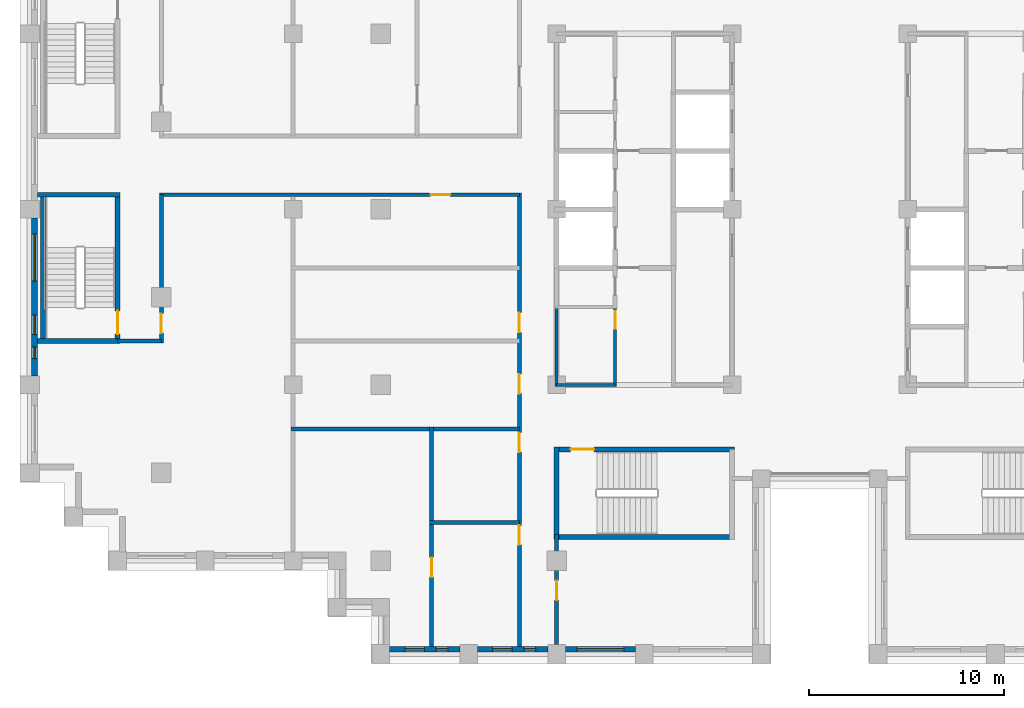
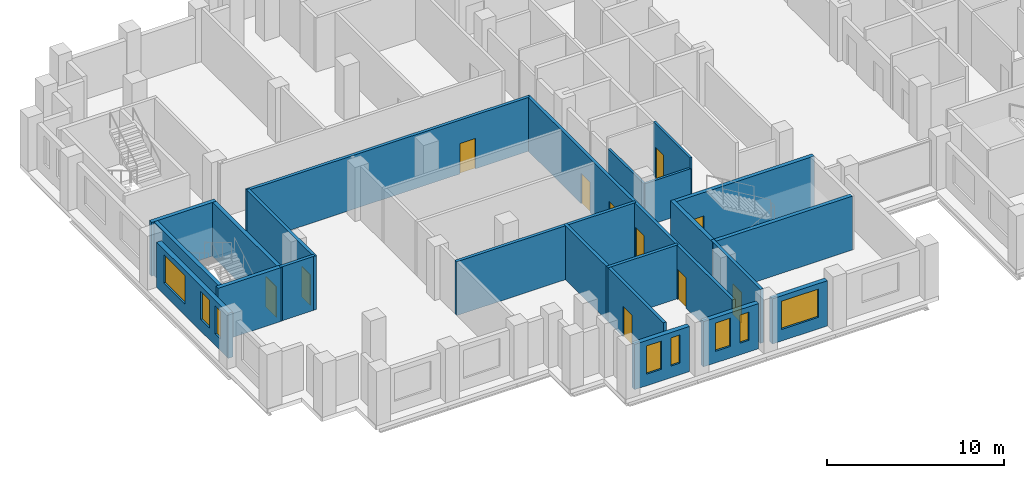
# One storey, part 6 of 15: 22 walls, 11 doors, 8 windows, 19 openings.
"""IFC4 building model written with IfcOpenShell, lengths in metres."""

from ifc_helpers import new_model, si_unit, direction, frame, frame_2d, origin, place, context, subcontext, project, spatial, rectangle, extrude, material, layer, layer_set, type_object, element, fill, save


model = new_model("IFC4")

# Units and contexts
model_context = context("Model", 3, precision=1e-05, world=origin(), true_north=direction((0.0, 1.0)))
body_context = subcontext(model_context, "Body", "Model", "MODEL_VIEW")
ifc_project = project(units=[si_unit("LENGTHUNIT", "METRE"), si_unit("AREAUNIT", "SQUARE_METRE"), si_unit("VOLUMEUNIT", "CUBIC_METRE"), si_unit("PLANEANGLEUNIT", "RADIAN"), si_unit("MASSUNIT", "GRAM", prefix="KILO")], contexts=[model_context])

# Site, building, storey
site_placement = place(None, origin())
site = spatial("IfcSite", under=ifc_project, at=site_placement, CompositionType="ELEMENT")
building_placement = place(site_placement, origin())
building = spatial("IfcBuilding", under=site, at=building_placement, Name="Corbelhall Arena Tower", CompositionType="ELEMENT")
storey_placement = place(building_placement, frame((0.0, 0.0, 208.0)))
storey = spatial("IfcBuildingStorey", under=building, at=storey_placement, Name="L43", CompositionType="ELEMENT", Elevation=208.0)

# Wall, openings, windows
ifc_material_1 = material(Name="Precast concrete C40/50 with granite facing", Category="masonry")
ifc_layer_1 = layer(ifc_material_1, 0.300048828125)
ifc_layer_set_1 = layer_set([ifc_layer_1], Name="EV-IW1 Infill panel 300")
wall_type_1 = type_object("IfcWallType", Name="EV-IW1 Infill panel 300", PredefinedType="SOLIDWALL", material=ifc_layer_set_1)
wall_1_placement = place(storey_placement, frame((-40.25, -0.449951171875, 0.0), z_axis=(0.0, 0.0, 1.0), x_axis=(0.0, -1.0, 0.0)))
wall_1 = element("IfcWall", 1, at=wall_1_placement, inside=storey, type_object=wall_type_1, Name="Infill panel IW1", PredefinedType="SOLIDWALL", context=body_context, shape_type="SweptSolid", body=[
    extrude(rectangle(XDim=8.10009765625, YDim=0.300048828125, at=frame_2d((4.050048828125, 0.0))), origin(), (0.0, 0.0, 1.0), 3.1201171875),
])
opening_1_placement = place(wall_1_placement, frame((0.824951171875, 0.0, 0.800048828125)))
opening_1 = element("IfcOpeningElement", 2, at=opening_1_placement, cuts=wall_1, Name="Opening WN1", PredefinedType="OPENING", context=body_context, shape_type="SweptSolid", body=[
    extrude(rectangle(XDim=2.39990234375, YDim=1.949951171875, at=frame_2d((1.199951171875, 0.97509765625))), frame((0.0, 0.14990234375, 0.0), z_axis=(0.0, -1.0, 0.0), x_axis=(1.0, 0.0, 0.0)), (0.0, 0.0, 1.0), 0.300048828125),
])
opening_2_placement = place(wall_1_placement, frame((4.97509765625, 0.0, 0.800048828125)))
opening_2 = element("IfcOpeningElement", 3, at=opening_2_placement, cuts=wall_1, Name="Opening WN6", PredefinedType="OPENING", context=body_context, shape_type="SweptSolid", body=[
    extrude(rectangle(XDim=1.0, YDim=1.949951171875, at=frame_2d((0.5, 0.97509765625))), frame((0.0, 0.14990234375, 0.0), z_axis=(0.0, -1.0, 0.0), x_axis=(1.0, 0.0, 0.0)), (0.0, 0.0, 1.0), 0.300048828125),
])
opening_3_placement = place(wall_1_placement, frame((6.60009765625, 0.0, 0.800048828125)))
opening_3 = element("IfcOpeningElement", 4, at=opening_3_placement, cuts=wall_1, Name="Opening WN5", PredefinedType="OPENING", context=body_context, shape_type="SweptSolid", body=[
    extrude(rectangle(XDim=0.60009765625, YDim=1.949951171875, at=frame_2d((0.300048828125, 0.97509765625))), frame((0.0, 0.14990234375, 0.0), z_axis=(0.0, -1.0, 0.0), x_axis=(1.0, 0.0, 0.0)), (0.0, 0.0, 1.0), 0.300048828125),
])
ifc_material_2 = material(Name="Aluminium black anodised", Category="aluminium")
window_type_1 = type_object("IfcWindowType", Name="EV-WN1 Office window", PartitioningType="SINGLE_PANEL", PredefinedType="WINDOW", material=ifc_material_2)
window_1_placement = place(opening_1_placement, origin())
window_1 = element("IfcWindow", 5, at=window_1_placement, inside=storey, type_object=window_type_1, Name="Window WN1", OverallHeight=1.949951171875, OverallWidth=2.39990234375, PartitioningType="SINGLE_PANEL", PredefinedType="WINDOW", context=body_context, shape_type="SweptSolid", body=[
    extrude(rectangle(XDim=2.39990234375, YDim=1.949951171875, at=frame_2d((1.199951171875, 0.97509765625))), frame((0.0, 0.030029296875, 0.0), z_axis=(0.0, -1.0, 0.0), x_axis=(1.0, 0.0, 0.0)), (0.0, 0.0, 1.0), 0.06005859375),
])
fill(opening_1, window_1)
window_type_2 = type_object("IfcWindowType", Name="EV-WN5 Office window 600", PartitioningType="SINGLE_PANEL", PredefinedType="WINDOW", material=ifc_material_2)
window_2_placement = place(opening_3_placement, origin())
window_2 = element("IfcWindow", 6, at=window_2_placement, inside=storey, type_object=window_type_2, Name="Window WN5", OverallHeight=1.949951171875, OverallWidth=0.60009765625, PartitioningType="SINGLE_PANEL", PredefinedType="WINDOW", context=body_context, shape_type="SweptSolid", body=[
    extrude(rectangle(XDim=0.60009765625, YDim=1.949951171875, at=frame_2d((0.300048828125, 0.97509765625))), frame((0.0, 0.030029296875, 0.0), z_axis=(0.0, -1.0, 0.0), x_axis=(1.0, 0.0, 0.0)), (0.0, 0.0, 1.0), 0.06005859375),
])
fill(opening_3, window_2)
window_type_3 = type_object("IfcWindowType", Name="EV-WN6 Office window 1000", PartitioningType="SINGLE_PANEL", PredefinedType="WINDOW", material=ifc_material_2)
window_3_placement = place(opening_2_placement, origin())
window_3 = element("IfcWindow", 7, at=window_3_placement, inside=storey, type_object=window_type_3, Name="Window WN6", OverallHeight=1.949951171875, OverallWidth=1.0, PartitioningType="SINGLE_PANEL", PredefinedType="WINDOW", context=body_context, shape_type="SweptSolid", body=[
    extrude(rectangle(XDim=1.0, YDim=1.949951171875, at=frame_2d((0.5, 0.97509765625))), frame((0.0, 0.030029296875, 0.0), z_axis=(0.0, -1.0, 0.0), x_axis=(1.0, 0.0, 0.0)), (0.0, 0.0, 1.0), 0.06005859375),
])
fill(opening_2, window_3)

wall_2_placement = place(storey_placement, frame((-22.050048828125, -22.550048828125, 0.0), z_axis=(0.0, 0.0, 1.0), x_axis=(1.0, 0.0, 0.0)))
wall_2 = element("IfcWall", 8, at=wall_2_placement, inside=storey, type_object=wall_type_1, Name="Infill panel IW1", PredefinedType="SOLIDWALL", context=body_context, shape_type="SweptSolid", body=[
    extrude(rectangle(XDim=3.60009765625, YDim=0.300048828125, at=frame_2d((1.800048828125, 0.0))), origin(), (0.0, 0.0, 1.0), 3.1201171875),
])
opening_4_placement = place(wall_2_placement, frame((0.77490234375, 0.0, 0.800048828125)))
opening_4 = element("IfcOpeningElement", 9, at=opening_4_placement, cuts=wall_2, Name="Opening WN6", PredefinedType="OPENING", context=body_context, shape_type="SweptSolid", body=[
    extrude(rectangle(XDim=1.0, YDim=1.949951171875, at=frame_2d((0.5, 0.97509765625))), frame((0.0, 0.14990234375, 0.0), z_axis=(0.0, -1.0, 0.0), x_axis=(1.0, 0.0, 0.0)), (0.0, 0.0, 1.0), 0.300048828125),
])
opening_5_placement = place(wall_2_placement, frame((2.375, 0.0, 0.800048828125)))
opening_5 = element("IfcOpeningElement", 10, at=opening_5_placement, cuts=wall_2, Name="Opening WN5", PredefinedType="OPENING", context=body_context, shape_type="SweptSolid", body=[
    extrude(rectangle(XDim=0.60009765625, YDim=1.949951171875, at=frame_2d((0.300048828125, 0.97509765625))), frame((0.0, 0.14990234375, 0.0), z_axis=(0.0, -1.0, 0.0), x_axis=(1.0, 0.0, 0.0)), (0.0, 0.0, 1.0), 0.300048828125),
])
window_4_placement = place(opening_5_placement, origin())
window_4 = element("IfcWindow", 11, at=window_4_placement, inside=storey, type_object=window_type_2, Name="Window WN5", OverallHeight=1.949951171875, OverallWidth=0.60009765625, PartitioningType="SINGLE_PANEL", PredefinedType="WINDOW", context=body_context, shape_type="SweptSolid", body=[
    extrude(rectangle(XDim=0.60009765625, YDim=1.949951171875, at=frame_2d((0.300048828125, 0.97509765625))), frame((0.0, 0.030029296875, 0.0), z_axis=(0.0, -1.0, 0.0), x_axis=(1.0, 0.0, 0.0)), (0.0, 0.0, 1.0), 0.06005859375),
])
fill(opening_5, window_4)
window_5_placement = place(opening_4_placement, origin())
window_5 = element("IfcWindow", 12, at=window_5_placement, inside=storey, type_object=window_type_3, Name="Window WN6", OverallHeight=1.949951171875, OverallWidth=1.0, PartitioningType="SINGLE_PANEL", PredefinedType="WINDOW", context=body_context, shape_type="SweptSolid", body=[
    extrude(rectangle(XDim=1.0, YDim=1.949951171875, at=frame_2d((0.5, 0.97509765625))), frame((0.0, 0.030029296875, 0.0), z_axis=(0.0, -1.0, 0.0), x_axis=(1.0, 0.0, 0.0)), (0.0, 0.0, 1.0), 0.06005859375),
])
fill(opening_4, window_5)

wall_3_placement = place(storey_placement, frame((-17.550048828125, -22.550048828125, 0.0), z_axis=(0.0, 0.0, 1.0), x_axis=(1.0, 0.0, 0.0)))
wall_3 = element("IfcWall", 13, at=wall_3_placement, inside=storey, type_object=wall_type_1, Name="Infill panel IW1", PredefinedType="SOLIDWALL", context=body_context, shape_type="SweptSolid", body=[
    extrude(rectangle(XDim=3.60009765625, YDim=0.300048828125, at=frame_2d((1.800048828125, 0.0))), origin(), (0.0, 0.0, 1.0), 3.1201171875),
])
opening_6_placement = place(wall_3_placement, frame((0.77490234375, 0.0, 0.800048828125)))
opening_6 = element("IfcOpeningElement", 14, at=opening_6_placement, cuts=wall_3, Name="Opening WN6", PredefinedType="OPENING", context=body_context, shape_type="SweptSolid", body=[
    extrude(rectangle(XDim=1.0, YDim=1.949951171875, at=frame_2d((0.5, 0.97509765625))), frame((0.0, 0.14990234375, 0.0), z_axis=(0.0, -1.0, 0.0), x_axis=(1.0, 0.0, 0.0)), (0.0, 0.0, 1.0), 0.300048828125),
])
opening_7_placement = place(wall_3_placement, frame((2.375, 0.0, 0.800048828125)))
opening_7 = element("IfcOpeningElement", 15, at=opening_7_placement, cuts=wall_3, Name="Opening WN5", PredefinedType="OPENING", context=body_context, shape_type="SweptSolid", body=[
    extrude(rectangle(XDim=0.60009765625, YDim=1.949951171875, at=frame_2d((0.300048828125, 0.97509765625))), frame((0.0, 0.14990234375, 0.0), z_axis=(0.0, -1.0, 0.0), x_axis=(1.0, 0.0, 0.0)), (0.0, 0.0, 1.0), 0.300048828125),
])
window_6_placement = place(opening_7_placement, origin())
window_6 = element("IfcWindow", 16, at=window_6_placement, inside=storey, type_object=window_type_2, Name="Window WN5", OverallHeight=1.949951171875, OverallWidth=0.60009765625, PartitioningType="SINGLE_PANEL", PredefinedType="WINDOW", context=body_context, shape_type="SweptSolid", body=[
    extrude(rectangle(XDim=0.60009765625, YDim=1.949951171875, at=frame_2d((0.300048828125, 0.97509765625))), frame((0.0, 0.030029296875, 0.0), z_axis=(0.0, -1.0, 0.0), x_axis=(1.0, 0.0, 0.0)), (0.0, 0.0, 1.0), 0.06005859375),
])
fill(opening_7, window_6)
window_7_placement = place(opening_6_placement, origin())
window_7 = element("IfcWindow", 17, at=window_7_placement, inside=storey, type_object=window_type_3, Name="Window WN6", OverallHeight=1.949951171875, OverallWidth=1.0, PartitioningType="SINGLE_PANEL", PredefinedType="WINDOW", context=body_context, shape_type="SweptSolid", body=[
    extrude(rectangle(XDim=1.0, YDim=1.949951171875, at=frame_2d((0.5, 0.97509765625))), frame((0.0, 0.030029296875, 0.0), z_axis=(0.0, -1.0, 0.0), x_axis=(1.0, 0.0, 0.0)), (0.0, 0.0, 1.0), 0.06005859375),
])
fill(opening_6, window_7)

# Wall, opening, window
wall_4_placement = place(storey_placement, frame((-13.050048828125, -22.550048828125, 0.0), z_axis=(0.0, 0.0, 1.0), x_axis=(1.0, 0.0, 0.0)))
wall_4 = element("IfcWall", 18, at=wall_4_placement, inside=storey, type_object=wall_type_1, Name="Infill panel IW1", PredefinedType="SOLIDWALL", context=body_context, shape_type="SweptSolid", body=[
    extrude(rectangle(XDim=3.60009765625, YDim=0.300048828125, at=frame_2d((1.800048828125, 0.0))), origin(), (0.0, 0.0, 1.0), 3.1201171875),
])
opening_8_placement = place(wall_4_placement, frame((0.60009765625, 0.0, 0.800048828125)))
opening_8 = element("IfcOpeningElement", 19, at=opening_8_placement, cuts=wall_4, Name="Opening WN1", PredefinedType="OPENING", context=body_context, shape_type="SweptSolid", body=[
    extrude(rectangle(XDim=2.39990234375, YDim=1.949951171875, at=frame_2d((1.199951171875, 0.97509765625))), frame((0.0, 0.14990234375, 0.0), z_axis=(0.0, -1.0, 0.0), x_axis=(1.0, 0.0, 0.0)), (0.0, 0.0, 1.0), 0.300048828125),
])
window_8_placement = place(opening_8_placement, origin())
window_8 = element("IfcWindow", 20, at=window_8_placement, inside=storey, type_object=window_type_1, Name="Window WN1", OverallHeight=1.949951171875, OverallWidth=2.39990234375, PartitioningType="SINGLE_PANEL", PredefinedType="WINDOW", context=body_context, shape_type="SweptSolid", body=[
    extrude(rectangle(XDim=2.39990234375, YDim=1.949951171875, at=frame_2d((1.199951171875, 0.97509765625))), frame((0.0, 0.030029296875, 0.0), z_axis=(0.0, -1.0, 0.0), x_axis=(1.0, 0.0, 0.0)), (0.0, 0.0, 1.0), 0.06005859375),
])
fill(opening_8, window_8)

# Wall
ifc_material_3 = material(Name="Gypsum board on steel stud, acoustic", Category="steel")
ifc_layer_2 = layer(ifc_material_3, 0.199951171875)
ifc_layer_set_2 = layer_set([ifc_layer_2], Name="IN-W-DM200")
wall_type_2 = type_object("IfcWallType", Name="IN-W-DM200", PredefinedType="PARTITIONING", material=ifc_layer_set_2)
wall_5_placement = place(storey_placement, frame((-33.75, -6.75, 0.0), z_axis=(0.0, 0.0, 1.0), x_axis=(-1.0, 0.0, 0.0)))
element("IfcWall", 21, at=wall_5_placement, inside=storey, type_object=wall_type_2, Name="Partition 003", PredefinedType="PARTITIONING", context=body_context, shape_type="SweptSolid", body=[
    extrude(rectangle(XDim=2.25, YDim=0.199951171875, at=frame_2d((1.125, 0.0))), origin(), (0.0, 0.0, 1.0), 3.719970703125),
])

# Wall, opening, door
wall_6_placement = place(storey_placement, frame((-33.75, 0.75, 0.0), z_axis=(0.0, 0.0, 1.0), x_axis=(0.0, -1.0, 0.0)))
wall_6 = element("IfcWall", 22, at=wall_6_placement, inside=storey, type_object=wall_type_2, Name="Partition 004", PredefinedType="PARTITIONING", context=body_context, shape_type="SweptSolid", body=[
    extrude(rectangle(XDim=7.60009765625, YDim=0.199951171875, at=frame_2d((3.800048828125, 0.0))), origin(), (0.0, 0.0, 1.0), 3.719970703125),
])
opening_9_placement = place(wall_6_placement, frame((6.10009765625, 0.0, 0.0)))
opening_9 = element("IfcOpeningElement", 23, at=opening_9_placement, cuts=wall_6, Name="Opening 13041", PredefinedType="OPENING", context=body_context, shape_type="SweptSolid", body=[
    extrude(rectangle(XDim=1.0, YDim=2.10009765625, at=frame_2d((0.5, 1.050048828125))), frame((0.0, 0.10009765625, 0.0), z_axis=(0.0, -1.0, 0.0), x_axis=(1.0, 0.0, 0.0)), (0.0, 0.0, 1.0), 0.199951171875),
])
ifc_material_4 = material(Name="Steel door set", Category="steel")
door_type_1 = type_object("IfcDoorType", Name="IN-D-SW100", OperationType="NOTDEFINED", PredefinedType="DOOR", material=ifc_material_4)
door_1_placement = place(opening_9_placement, origin())
door_1 = element("IfcDoor", 24, at=door_1_placement, inside=storey, type_object=door_type_1, Name="Door 041", OperationType="SINGLE_SWING_RIGHT", OverallHeight=2.10009765625, OverallWidth=1.0, PredefinedType="DOOR", context=body_context, shape_type="SweptSolid", body=[
    extrude(rectangle(XDim=1.0, YDim=2.10009765625, at=frame_2d((0.5, 1.050048828125))), frame((0.0, 0.02490234375, 0.0), z_axis=(0.0, -1.0, 0.0), x_axis=(1.0, 0.0, 0.0)), (0.0, 0.0, 1.0), 0.050048828125),
])
fill(opening_9, door_1)

# Wall
wall_7_placement = place(storey_placement, frame((-27.10009765625, -11.25, 0.0), z_axis=(0.0, 0.0, 1.0), x_axis=(1.0, 0.0, 0.0)))
element("IfcWall", 25, at=wall_7_placement, inside=storey, type_object=wall_type_2, Name="Partition 006", PredefinedType="PARTITIONING", context=body_context, shape_type="SweptSolid", body=[
    extrude(rectangle(XDim=11.7001953125, YDim=0.199951171875, at=frame_2d((5.85009765625, 0.0))), origin(), (0.0, 0.0, 1.0), 3.719970703125),
])

# Wall, opening, door
wall_8_placement = place(storey_placement, frame((-15.39990234375, 0.75, 0.0), z_axis=(0.0, 0.0, 1.0), x_axis=(-1.0, 0.0, 0.0)))
wall_8 = element("IfcWall", 26, at=wall_8_placement, inside=storey, type_object=wall_type_2, Name="Partition 011", PredefinedType="PARTITIONING", context=body_context, shape_type="SweptSolid", body=[
    extrude(rectangle(XDim=18.4501953125, YDim=0.199951171875, at=frame_2d((9.22509765625, 0.0))), origin(), (0.0, 0.0, 1.0), 3.719970703125),
])
opening_10_placement = place(wall_8_placement, frame((3.550048828125, 0.0, 0.0)))
opening_10 = element("IfcOpeningElement", 27, at=opening_10_placement, cuts=wall_8, Name="Opening 13031", PredefinedType="OPENING", context=body_context, shape_type="SweptSolid", body=[
    extrude(rectangle(XDim=1.0, YDim=2.10009765625, at=frame_2d((0.5, 1.050048828125))), frame((0.0, 0.10009765625, 0.0), z_axis=(0.0, -1.0, 0.0), x_axis=(1.0, 0.0, 0.0)), (0.0, 0.0, 1.0), 0.199951171875),
])
door_2_placement = place(opening_10_placement, origin())
door_2 = element("IfcDoor", 28, at=door_2_placement, inside=storey, type_object=door_type_1, Name="Door 031", OperationType="SINGLE_SWING_RIGHT", OverallHeight=2.10009765625, OverallWidth=1.0, PredefinedType="DOOR", context=body_context, shape_type="SweptSolid", body=[
    extrude(rectangle(XDim=1.0, YDim=2.10009765625, at=frame_2d((0.5, 1.050048828125))), frame((0.0, 0.02490234375, 0.0), z_axis=(0.0, -1.0, 0.0), x_axis=(1.0, 0.0, 0.0)), (0.0, 0.0, 1.0), 0.050048828125),
])
fill(opening_10, door_2)

# Wall
wall_9_placement = place(storey_placement, frame((-20.0, -16.050048828125, 0.0), z_axis=(0.0, 0.0, 1.0), x_axis=(1.0, 0.0, 0.0)))
element("IfcWall", 29, at=wall_9_placement, inside=storey, type_object=wall_type_2, Name="Partition 015", PredefinedType="PARTITIONING", context=body_context, shape_type="SweptSolid", body=[
    extrude(rectangle(XDim=4.60009765625, YDim=0.199951171875, at=frame_2d((2.300048828125, 0.0))), origin(), (0.0, 0.0, 1.0), 3.719970703125),
])

# Wall, opening, door
wall_10_placement = place(storey_placement, frame((-19.89990234375, -22.39990234375, 0.0), z_axis=(0.0, 0.0, 1.0), x_axis=(0.0, 1.0, 0.0)))
wall_10 = element("IfcWall", 30, at=wall_10_placement, inside=storey, type_object=wall_type_2, Name="Partition 016", PredefinedType="PARTITIONING", context=body_context, shape_type="SweptSolid", body=[
    extrude(rectangle(XDim=11.25, YDim=0.199951171875, at=frame_2d((5.625, 0.0))), origin(), (0.0, 0.0, 1.0), 3.719970703125),
])
opening_11_placement = place(wall_10_placement, frame((3.550048828125, 0.0, 0.0)))
opening_11 = element("IfcOpeningElement", 31, at=opening_11_placement, cuts=wall_10, Name="Opening 13028", PredefinedType="OPENING", context=body_context, shape_type="SweptSolid", body=[
    extrude(rectangle(XDim=1.0, YDim=2.10009765625, at=frame_2d((0.5, 1.050048828125))), frame((0.0, 0.10009765625, 0.0), z_axis=(0.0, -1.0, 0.0), x_axis=(1.0, 0.0, 0.0)), (0.0, 0.0, 1.0), 0.199951171875),
])
door_3_placement = place(opening_11_placement, origin())
door_3 = element("IfcDoor", 32, at=door_3_placement, inside=storey, type_object=door_type_1, Name="Door 028", OperationType="SINGLE_SWING_LEFT", OverallHeight=2.10009765625, OverallWidth=1.0, PredefinedType="DOOR", context=body_context, shape_type="SweptSolid", body=[
    extrude(rectangle(XDim=1.0, YDim=2.10009765625, at=frame_2d((0.5, 1.050048828125))), frame((0.0, 0.02490234375, 0.0), z_axis=(0.0, -1.0, 0.0), x_axis=(1.0, 0.0, 0.0)), (0.0, 0.0, 1.0), 0.050048828125),
])
fill(opening_11, door_3)

# Wall, openings, doors
wall_11_placement = place(storey_placement, frame((-15.39990234375, -22.39990234375, 0.0), z_axis=(0.0, 0.0, 1.0), x_axis=(0.0, 1.0, 0.0)))
wall_11 = element("IfcWall", 33, at=wall_11_placement, inside=storey, type_object=wall_type_2, Name="Partition 017", PredefinedType="PARTITIONING", context=body_context, shape_type="SweptSolid", body=[
    extrude(rectangle(XDim=23.25, YDim=0.199951171875, at=frame_2d((11.625, 0.0))), origin(), (0.0, 0.0, 1.0), 3.719970703125),
])
opening_12_placement = place(wall_11_placement, frame((5.199951171875, 0.0, 0.0)))
opening_12 = element("IfcOpeningElement", 34, at=opening_12_placement, cuts=wall_11, Name="Opening 13026", PredefinedType="OPENING", context=body_context, shape_type="SweptSolid", body=[
    extrude(rectangle(XDim=1.0, YDim=2.10009765625, at=frame_2d((0.5, 1.050048828125))), frame((0.0, 0.10009765625, 0.0), z_axis=(0.0, -1.0, 0.0), x_axis=(1.0, 0.0, 0.0)), (0.0, 0.0, 1.0), 0.199951171875),
])
opening_13_placement = place(wall_11_placement, frame((9.949951171875, 0.0, 0.0)))
opening_13 = element("IfcOpeningElement", 35, at=opening_13_placement, cuts=wall_11, Name="Opening 13027", PredefinedType="OPENING", context=body_context, shape_type="SweptSolid", body=[
    extrude(rectangle(XDim=1.0, YDim=2.10009765625, at=frame_2d((0.5, 1.050048828125))), frame((0.0, 0.10009765625, 0.0), z_axis=(0.0, -1.0, 0.0), x_axis=(1.0, 0.0, 0.0)), (0.0, 0.0, 1.0), 0.199951171875),
])
opening_14_placement = place(wall_11_placement, frame((12.949951171875, 0.0, 0.0)))
opening_14 = element("IfcOpeningElement", 36, at=opening_14_placement, cuts=wall_11, Name="Opening 13029", PredefinedType="OPENING", context=body_context, shape_type="SweptSolid", body=[
    extrude(rectangle(XDim=1.0, YDim=2.10009765625, at=frame_2d((0.5, 1.050048828125))), frame((0.0, 0.10009765625, 0.0), z_axis=(0.0, -1.0, 0.0), x_axis=(1.0, 0.0, 0.0)), (0.0, 0.0, 1.0), 0.199951171875),
])
opening_15_placement = place(wall_11_placement, frame((16.10009765625, 0.0, 0.0)))
opening_15 = element("IfcOpeningElement", 37, at=opening_15_placement, cuts=wall_11, Name="Opening 13030", PredefinedType="OPENING", context=body_context, shape_type="SweptSolid", body=[
    extrude(rectangle(XDim=1.0, YDim=2.10009765625, at=frame_2d((0.5, 1.050048828125))), frame((0.0, 0.10009765625, 0.0), z_axis=(0.0, -1.0, 0.0), x_axis=(1.0, 0.0, 0.0)), (0.0, 0.0, 1.0), 0.199951171875),
])
door_4_placement = place(opening_12_placement, origin())
door_4 = element("IfcDoor", 38, at=door_4_placement, inside=storey, type_object=door_type_1, Name="Door 026", OperationType="SINGLE_SWING_LEFT", OverallHeight=2.10009765625, OverallWidth=1.0, PredefinedType="DOOR", context=body_context, shape_type="SweptSolid", body=[
    extrude(rectangle(XDim=1.0, YDim=2.10009765625, at=frame_2d((0.5, 1.050048828125))), frame((0.0, 0.02490234375, 0.0), z_axis=(0.0, -1.0, 0.0), x_axis=(1.0, 0.0, 0.0)), (0.0, 0.0, 1.0), 0.050048828125),
])
fill(opening_12, door_4)
door_5_placement = place(opening_13_placement, origin())
door_5 = element("IfcDoor", 39, at=door_5_placement, inside=storey, type_object=door_type_1, Name="Door 027", OperationType="SINGLE_SWING_RIGHT", OverallHeight=2.10009765625, OverallWidth=1.0, PredefinedType="DOOR", context=body_context, shape_type="SweptSolid", body=[
    extrude(rectangle(XDim=1.0, YDim=2.10009765625, at=frame_2d((0.5, 1.050048828125))), frame((0.0, 0.02490234375, 0.0), z_axis=(0.0, -1.0, 0.0), x_axis=(1.0, 0.0, 0.0)), (0.0, 0.0, 1.0), 0.050048828125),
])
fill(opening_13, door_5)
door_6_placement = place(opening_14_placement, origin())
door_6 = element("IfcDoor", 40, at=door_6_placement, inside=storey, type_object=door_type_1, Name="Door 029", OperationType="SINGLE_SWING_RIGHT", OverallHeight=2.10009765625, OverallWidth=1.0, PredefinedType="DOOR", context=body_context, shape_type="SweptSolid", body=[
    extrude(rectangle(XDim=1.0, YDim=2.10009765625, at=frame_2d((0.5, 1.050048828125))), frame((0.0, 0.02490234375, 0.0), z_axis=(0.0, -1.0, 0.0), x_axis=(1.0, 0.0, 0.0)), (0.0, 0.0, 1.0), 0.050048828125),
])
fill(opening_14, door_6)
door_7_placement = place(opening_15_placement, origin())
door_7 = element("IfcDoor", 41, at=door_7_placement, inside=storey, type_object=door_type_1, Name="Door 030", OperationType="SINGLE_SWING_LEFT", OverallHeight=2.10009765625, OverallWidth=1.0, PredefinedType="DOOR", context=body_context, shape_type="SweptSolid", body=[
    extrude(rectangle(XDim=1.0, YDim=2.10009765625, at=frame_2d((0.5, 1.050048828125))), frame((0.0, 0.02490234375, 0.0), z_axis=(0.0, -1.0, 0.0), x_axis=(1.0, 0.0, 0.0)), (0.0, 0.0, 1.0), 0.050048828125),
])
fill(opening_15, door_7)

# Wall, opening, door
wall_12_placement = place(storey_placement, frame((-13.5, -16.675048828125, 0.0), z_axis=(0.0, 0.0, 1.0), x_axis=(0.0, -1.0, 0.0)))
wall_12 = element("IfcWall", 42, at=wall_12_placement, inside=storey, type_object=wall_type_2, Name="Partition 019", PredefinedType="PARTITIONING", context=body_context, shape_type="SweptSolid", body=[
    extrude(rectangle(XDim=5.625, YDim=0.199951171875, at=frame_2d((2.8125, 0.0))), origin(), (0.0, 0.0, 1.0), 3.719970703125),
])
opening_16_placement = place(wall_12_placement, frame((2.35009765625, 0.0, 0.0)))
opening_16 = element("IfcOpeningElement", 43, at=opening_16_placement, cuts=wall_12, Name="Opening 13022", PredefinedType="OPENING", context=body_context, shape_type="SweptSolid", body=[
    extrude(rectangle(XDim=1.0, YDim=2.10009765625, at=frame_2d((0.5, 1.050048828125))), frame((0.0, 0.10009765625, 0.0), z_axis=(0.0, -1.0, 0.0), x_axis=(1.0, 0.0, 0.0)), (0.0, 0.0, 1.0), 0.199951171875),
])
door_8_placement = place(opening_16_placement, origin())
door_8 = element("IfcDoor", 44, at=door_8_placement, inside=storey, type_object=door_type_1, Name="Door 022", OperationType="SINGLE_SWING_LEFT", OverallHeight=2.10009765625, OverallWidth=1.0, PredefinedType="DOOR", context=body_context, shape_type="SweptSolid", body=[
    extrude(rectangle(XDim=1.0, YDim=2.10009765625, at=frame_2d((0.5, 1.050048828125))), frame((0.0, 0.02490234375, 0.0), z_axis=(0.0, -1.0, 0.0), x_axis=(1.0, 0.0, 0.0)), (0.0, 0.0, 1.0), 0.050048828125),
])
fill(opening_16, door_8)

# Wall
ifc_material_5 = material(Name="Concrete C40/50", Category="concrete")
ifc_layer_3 = layer(ifc_material_5, 0.25)
ifc_layer_set_3 = layer_set([ifc_layer_3], Name="IN-W-ST250")
wall_type_3 = type_object("IfcWallType", Name="IN-W-ST250", PredefinedType="SOLIDWALL", material=ifc_layer_set_3)
wall_13_placement = place(storey_placement, frame((-36.0, -6.75, 0.0), z_axis=(0.0, 0.0, 1.0), x_axis=(-1.0, 0.0, 0.0)))
element("IfcWall", 45, at=wall_13_placement, inside=storey, type_object=wall_type_3, Name="Shaft wall 077", PredefinedType="SOLIDWALL", context=body_context, shape_type="SweptSolid", body=[
    extrude(rectangle(XDim=4.10009765625, YDim=0.25, at=frame_2d((2.050048828125, 0.0))), origin(), (0.0, 0.0, 1.0), 3.719970703125),
])

# Wall, opening, door
wall_14_placement = place(storey_placement, frame((-36.0, 0.75, 0.0), z_axis=(0.0, 0.0, 1.0), x_axis=(0.0, -1.0, 0.0)))
wall_14 = element("IfcWall", 46, at=wall_14_placement, inside=storey, type_object=wall_type_3, Name="Shaft wall 078", PredefinedType="SOLIDWALL", context=body_context, shape_type="SweptSolid", body=[
    extrude(rectangle(XDim=7.625, YDim=0.25, at=frame_2d((3.8125, 0.0))), origin(), (0.0, 0.0, 1.0), 3.719970703125),
])
opening_17_placement = place(wall_14_placement, frame((5.949951171875, 0.0, 0.0)))
opening_17 = element("IfcOpeningElement", 47, at=opening_17_placement, cuts=wall_14, Name="Opening 13020", PredefinedType="OPENING", context=body_context, shape_type="SweptSolid", body=[
    extrude(rectangle(XDim=1.199951171875, YDim=2.10009765625, at=frame_2d((0.60009765625, 1.050048828125))), frame((0.0, 0.125, 0.0), z_axis=(0.0, -1.0, 0.0), x_axis=(1.0, 0.0, 0.0)), (0.0, 0.0, 1.0), 0.25),
])
door_type_2 = type_object("IfcDoorType", Name="IN-D-ST120", OperationType="NOTDEFINED", PredefinedType="DOOR", material=ifc_material_4)
door_9_placement = place(opening_17_placement, origin())
door_9 = element("IfcDoor", 48, at=door_9_placement, inside=storey, type_object=door_type_2, Name="Door 020", OperationType="SINGLE_SWING_LEFT", OverallHeight=2.10009765625, OverallWidth=1.199951171875, PredefinedType="DOOR", context=body_context, shape_type="SweptSolid", body=[
    extrude(rectangle(XDim=1.199951171875, YDim=2.10009765625, at=frame_2d((0.60009765625, 1.050048828125))), frame((0.0, 0.02490234375, 0.0), z_axis=(0.0, -1.0, 0.0), x_axis=(1.0, 0.0, 0.0)), (0.0, 0.0, 1.0), 0.050048828125),
])
fill(opening_17, door_9)

# Walls
wall_15_placement = place(storey_placement, frame((-35.875, 0.75, 0.0), z_axis=(0.0, 0.0, 1.0), x_axis=(-1.0, 0.0, 0.0)))
element("IfcWall", 49, at=wall_15_placement, inside=storey, type_object=wall_type_3, Name="Shaft wall 080", PredefinedType="SOLIDWALL", context=body_context, shape_type="SweptSolid", body=[
    extrude(rectangle(XDim=4.22509765625, YDim=0.25, at=frame_2d((2.112548828125, 0.0))), origin(), (0.0, 0.0, 1.0), 3.719970703125),
])
wall_16_placement = place(storey_placement, frame((-13.5, -12.175048828125, 0.0), z_axis=(0.0, 0.0, 1.0), x_axis=(0.0, -1.0, 0.0)))
element("IfcWall", 50, at=wall_16_placement, inside=storey, type_object=wall_type_3, Name="Shaft wall 081", PredefinedType="SOLIDWALL", context=body_context, shape_type="SweptSolid", body=[
    extrude(rectangle(XDim=4.75, YDim=0.25, at=frame_2d((2.375, 0.0))), origin(), (0.0, 0.0, 1.0), 3.719970703125),
])
wall_17_placement = place(storey_placement, frame((-4.5, -16.800048828125, 0.0), z_axis=(0.0, 0.0, 1.0), x_axis=(-1.0, 0.0, 0.0)))
element("IfcWall", 51, at=wall_17_placement, inside=storey, type_object=wall_type_3, Name="Shaft wall 085", PredefinedType="SOLIDWALL", context=body_context, shape_type="SweptSolid", body=[
    extrude(rectangle(XDim=9.0, YDim=0.25, at=frame_2d((4.5, 0.0))), origin(), (0.0, 0.0, 1.0), 3.719970703125),
])

# Wall, opening, door
wall_18_placement = place(storey_placement, frame((-4.375, -12.300048828125, 0.0), z_axis=(0.0, 0.0, 1.0), x_axis=(-1.0, 0.0, 0.0)))
wall_18 = element("IfcWall", 52, at=wall_18_placement, inside=storey, type_object=wall_type_3, Name="Shaft wall 089", PredefinedType="SOLIDWALL", context=body_context, shape_type="SweptSolid", body=[
    extrude(rectangle(XDim=9.125, YDim=0.25, at=frame_2d((4.5625, 0.0))), origin(), (0.0, 0.0, 1.0), 3.719970703125),
])
opening_18_placement = place(wall_18_placement, frame((7.199951171875, 0.0, 0.0)))
opening_18 = element("IfcOpeningElement", 53, at=opening_18_placement, cuts=wall_18, Name="Opening 13016", PredefinedType="OPENING", context=body_context, shape_type="SweptSolid", body=[
    extrude(rectangle(XDim=1.199951171875, YDim=2.10009765625, at=frame_2d((0.60009765625, 1.050048828125))), frame((0.0, 0.125, 0.0), z_axis=(0.0, -1.0, 0.0), x_axis=(1.0, 0.0, 0.0)), (0.0, 0.0, 1.0), 0.25),
])
door_10_placement = place(opening_18_placement, origin())
door_10 = element("IfcDoor", 54, at=door_10_placement, inside=storey, type_object=door_type_2, Name="Door 016", OperationType="SINGLE_SWING_LEFT", OverallHeight=2.10009765625, OverallWidth=1.199951171875, PredefinedType="DOOR", context=body_context, shape_type="SweptSolid", body=[
    extrude(rectangle(XDim=1.199951171875, YDim=2.10009765625, at=frame_2d((0.60009765625, 1.050048828125))), frame((0.0, 0.02490234375, 0.0), z_axis=(0.0, -1.0, 0.0), x_axis=(1.0, 0.0, 0.0)), (0.0, 0.0, 1.0), 0.050048828125),
])
fill(opening_18, door_10)

# Wall
wall_19_placement = place(storey_placement, frame((-39.824951171875, -6.625, 0.0), z_axis=(0.0, 0.0, 1.0), x_axis=(0.0, 1.0, 0.0)))
element("IfcWall", 55, at=wall_19_placement, inside=storey, type_object=wall_type_3, Name="Shaft wall SC2 facade side", PredefinedType="SOLIDWALL", context=body_context, shape_type="SweptSolid", body=[
    extrude(rectangle(XDim=7.25, YDim=0.25, at=frame_2d((3.625, 0.0))), origin(), (0.0, 0.0, 1.0), 3.719970703125),
])

# Wall, opening, door
ifc_material_6 = material(Name="Gypsum board on steel stud, moisture resistant", Category="steel")
ifc_layer_4 = layer(ifc_material_6, 0.14990234375)
ifc_layer_set_4 = layer_set([ifc_layer_4], Name="IN-W-WC150")
wall_type_4 = type_object("IfcWallType", Name="IN-W-WC150", PredefinedType="PARTITIONING", material=ifc_layer_set_4)
wall_20_placement = place(storey_placement, frame((-10.5, -9.074951171875, 0.0), z_axis=(0.0, 0.0, 1.0), x_axis=(0.0, 1.0, 0.0)))
wall_20 = element("IfcWall", 56, at=wall_20_placement, inside=storey, type_object=wall_type_4, Name="Partition 102", PredefinedType="PARTITIONING", context=body_context, shape_type="SweptSolid", body=[
    extrude(rectangle(XDim=4.14990234375, YDim=0.14990234375, at=frame_2d((2.074951171875, 0.0))), origin(), (0.0, 0.0, 1.0), 3.719970703125),
])
opening_19_placement = place(wall_20_placement, frame((2.949951171875, 0.0, 0.0)))
opening_19 = element("IfcOpeningElement", 57, at=opening_19_placement, cuts=wall_20, Name="Opening 13005", PredefinedType="OPENING", context=body_context, shape_type="SweptSolid", body=[
    extrude(rectangle(XDim=0.89990234375, YDim=2.10009765625, at=frame_2d((0.449951171875, 1.050048828125))), frame((0.0, 0.074951171875, 0.0), z_axis=(0.0, -1.0, 0.0), x_axis=(1.0, 0.0, 0.0)), (0.0, 0.0, 1.0), 0.14990234375),
])
ifc_material_7 = material(Name="Timber door set", Category="wood")
door_type_3 = type_object("IfcDoorType", Name="IN-D-SW90", OperationType="NOTDEFINED", PredefinedType="DOOR", material=ifc_material_7)
door_11_placement = place(opening_19_placement, origin())
door_11 = element("IfcDoor", 58, at=door_11_placement, inside=storey, type_object=door_type_3, Name="Door 005", OperationType="SINGLE_SWING_RIGHT", OverallHeight=2.10009765625, OverallWidth=0.89990234375, PredefinedType="DOOR", context=body_context, shape_type="SweptSolid", body=[
    extrude(rectangle(XDim=0.89990234375, YDim=2.10009765625, at=frame_2d((0.449951171875, 1.050048828125))), frame((0.0, 0.02490234375, 0.0), z_axis=(0.0, -1.0, 0.0), x_axis=(1.0, 0.0, 0.0)), (0.0, 0.0, 1.0), 0.050048828125),
])
fill(opening_19, door_11)

# Walls
ifc_layer_5 = layer(ifc_material_6, 0.14990234375)
ifc_layer_set_5 = layer_set([ifc_layer_5], Name="IN-W-WC150 under beam 762 mm")
wall_type_5 = type_object("IfcWallType", Name="IN-W-WC150 under beam 762 mm", PredefinedType="PARTITIONING", material=ifc_layer_set_5)
wall_21_placement = place(storey_placement, frame((-13.5, -9.074951171875, 0.0), z_axis=(0.0, 0.0, 1.0), x_axis=(0.0, 1.0, 0.0)))
element("IfcWall", 59, at=wall_21_placement, inside=storey, type_object=wall_type_5, Name="Partition 100", PredefinedType="PARTITIONING", context=body_context, shape_type="SweptSolid", body=[
    extrude(rectangle(XDim=4.074951171875, YDim=0.14990234375, at=frame_2d((2.03759765625, 0.0))), origin(), (0.0, 0.0, 1.0), 2.9580078125),
])
wall_22_placement = place(storey_placement, frame((-10.5, -9.0, 0.0), z_axis=(0.0, 0.0, 1.0), x_axis=(-1.0, 0.0, 0.0)))
element("IfcWall", 60, at=wall_22_placement, inside=storey, type_object=wall_type_5, Name="Partition 103", PredefinedType="PARTITIONING", context=body_context, shape_type="SweptSolid", body=[
    extrude(rectangle(XDim=3.0, YDim=0.14990234375, at=frame_2d((1.5, 0.0))), origin(), (0.0, 0.0, 1.0), 2.9580078125),
])

save(model, "model.ifc")
